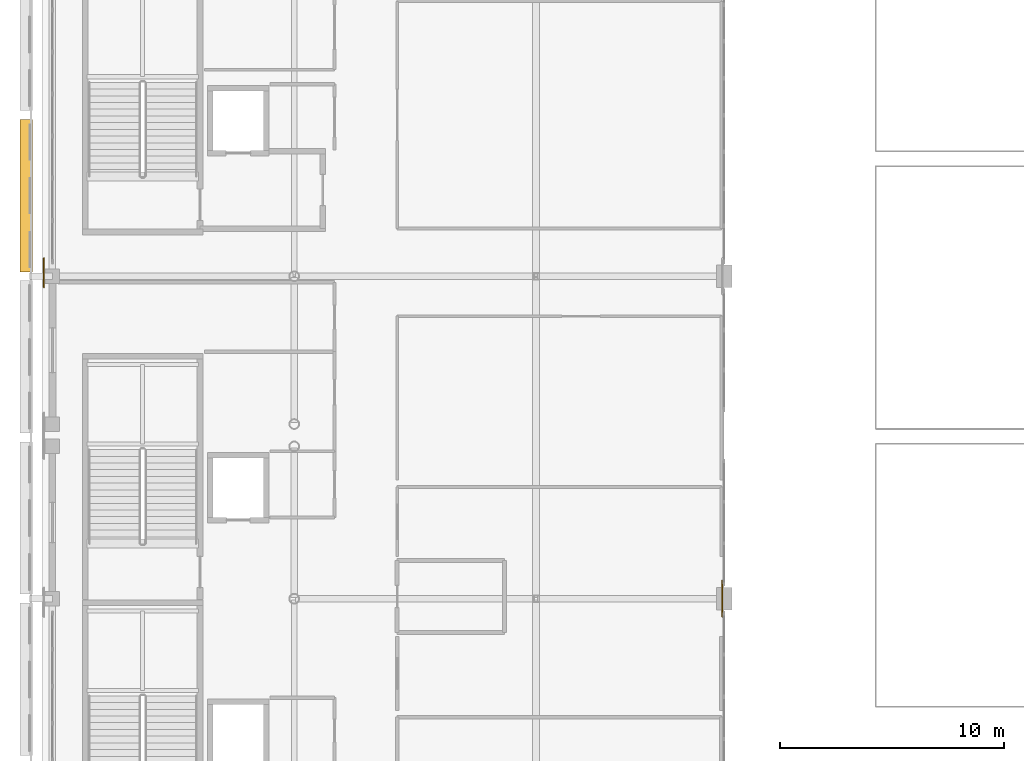
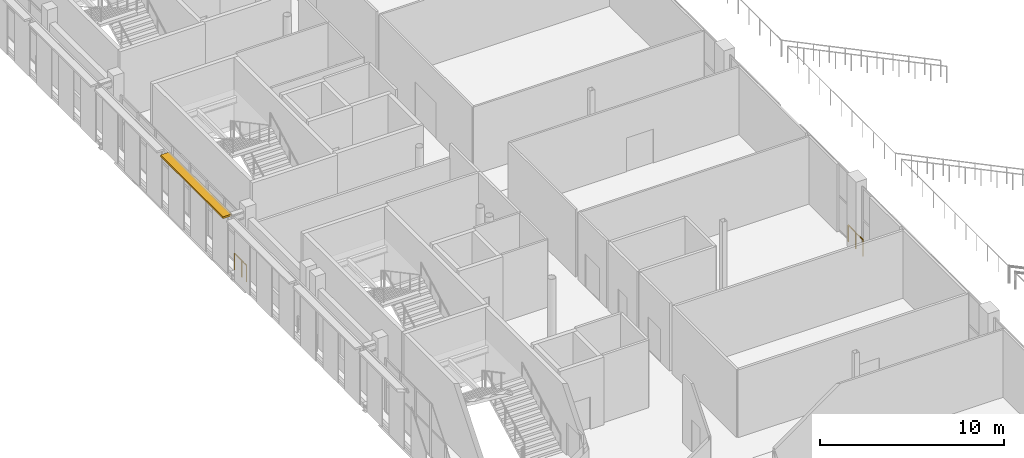
# One storey, part 87 of 104: 3 railings, 1 shading device.
"""IFC4 building model written with IfcOpenShell, lengths in metres."""

from ifc_helpers import new_model, si_unit, direction, frame, origin, origin_2d, place, context, subcontext, project, spatial, rectangle, circle, extrude, material, type_object, element, save


model = new_model("IFC4")

# Units and contexts
model_context = context("Model", 3, precision=1e-05, world=origin(), true_north=direction((0.0, 1.0)))
body_context = subcontext(model_context, "Body", "Model", "MODEL_VIEW")
ifc_project = project(units=[si_unit("LENGTHUNIT", "METRE"), si_unit("AREAUNIT", "SQUARE_METRE"), si_unit("VOLUMEUNIT", "CUBIC_METRE"), si_unit("PLANEANGLEUNIT", "RADIAN"), si_unit("MASSUNIT", "GRAM", prefix="KILO")], contexts=[model_context])

# Site, building, storey
site_placement = place(None, origin())
site = spatial("IfcSite", under=ifc_project, at=site_placement, CompositionType="ELEMENT")
building_placement = place(site_placement, origin())
building = spatial("IfcBuilding", under=site, at=building_placement, Name="Koshinbarg Plaza Stadium", CompositionType="ELEMENT")
storey_placement = place(building_placement, frame((0.0, 0.0, 19.800048828125)))
storey = spatial("IfcBuildingStorey", under=building, at=storey_placement, Name="L04", CompositionType="ELEMENT", Elevation=19.800048828125)

# Railings
ifc_material_1 = material(Name="Toughened laminated glass and stainless steel sightline balustrade", Category="steel")
railing_type = type_object("IfcRailingType", Name="RL-BOWL-1100", PredefinedType="BALUSTRADE", material=ifc_material_1)
railing_1_placement = place(storey_placement, frame((24.22509765625, 82.60009765625, 0.0)))
element("IfcRailing", 1, at=railing_1_placement, inside=storey, type_object=railing_type, Name="L04 deck edge safety balustrade 0290", PredefinedType="BALUSTRADE", context=body_context, shape_type="SweptSolid", body=[
    extrude(circle(Radius=0.02392578125, at=origin_2d()), frame((0.0, 0.0, 1.076171875), z_axis=(0.0, 1.0, 0.0), x_axis=(-1.0, 0.0, 0.0)), (0.0, 0.0, 1.0), 0.5),
    extrude(circle(Radius=0.02099609375, at=origin_2d()), origin(), (0.0, 0.0, 1.0), 1.052001953125),
    extrude(circle(Radius=0.02099609375, at=origin_2d()), frame((0.0, 0.5, 0.0)), (0.0, 0.0, 1.0), 1.052001953125),
])
railing_2_placement = place(storey_placement, frame((54.52001953125, 69.5, 0.0)))
element("IfcRailing", 2, at=railing_2_placement, inside=storey, type_object=railing_type, Name="L04 deck edge safety balustrade 0292", PredefinedType="BALUSTRADE", context=body_context, shape_type="SweptSolid", body=[
    extrude(circle(Radius=0.02392578125, at=origin_2d()), frame((0.0, 0.0, 1.076171875), z_axis=(0.0, -1.0, 0.0), x_axis=(1.0, 0.0, 0.0)), (0.0, 0.0, 1.0), 1.60009765625),
    extrude(circle(Radius=0.02099609375, at=origin_2d()), origin(), (0.0, 0.0, 1.0), 1.052001953125),
    extrude(circle(Radius=0.02099609375, at=origin_2d()), frame((0.0, -0.800048828125, 0.0)), (0.0, 0.0, 1.0), 1.052001953125),
    extrude(circle(Radius=0.02099609375, at=origin_2d()), frame((0.0, -1.60009765625, 0.0)), (0.0, 0.0, 1.0), 1.052001953125),
])
railing_3_placement = place(storey_placement, frame((24.22509765625, 83.10009765625, 0.0)))
element("IfcRailing", 3, at=railing_3_placement, inside=storey, type_object=railing_type, Name="L04 deck edge safety balustrade 0294", PredefinedType="BALUSTRADE", context=body_context, shape_type="SweptSolid", body=[
    extrude(circle(Radius=0.02392578125, at=origin_2d()), frame((0.0, 0.0, 1.076171875), z_axis=(0.0, 1.0, 0.0), x_axis=(-1.0, 0.0, 0.0)), (0.0, 0.0, 1.0), 0.796875),
    extrude(circle(Radius=0.02099609375, at=origin_2d()), origin(), (0.0, 0.0, 1.0), 1.052001953125),
    extrude(circle(Radius=0.02099609375, at=origin_2d()), frame((0.0, 0.796875, 0.0)), (0.0, 0.0, 1.0), 1.052001953125),
])

# Shading device
ifc_material_2 = material(Name="Off-white powder-coated aluminium sun-baffle louvre", Category="aluminium")
shading_device_type = type_object("IfcShadingDeviceType", Name="SHD-LOUVRE-01", PredefinedType="USERDEFINED", material=ifc_material_2)
shading_device_placement = place(storey_placement, frame((23.429931640625, 86.699951171875, 4.119873046875), z_axis=(0.0, 0.0, 1.0), x_axis=(1.0, 0.0, 0.0)))
element("IfcShadingDevice", 4, at=shading_device_placement, inside=storey, type_object=shading_device_type, Name="L04 solar brise-soleil louvre 23", ObjectType="LOUVRE", PredefinedType="USERDEFINED", context=body_context, shape_type="SweptSolid", body=[
    extrude(rectangle(XDim=0.550048828125, YDim=6.800048828125, at=origin_2d()), origin(), (0.0, 0.0, 1.0), 0.1201171875),
])

save(model, "model.ifc")
